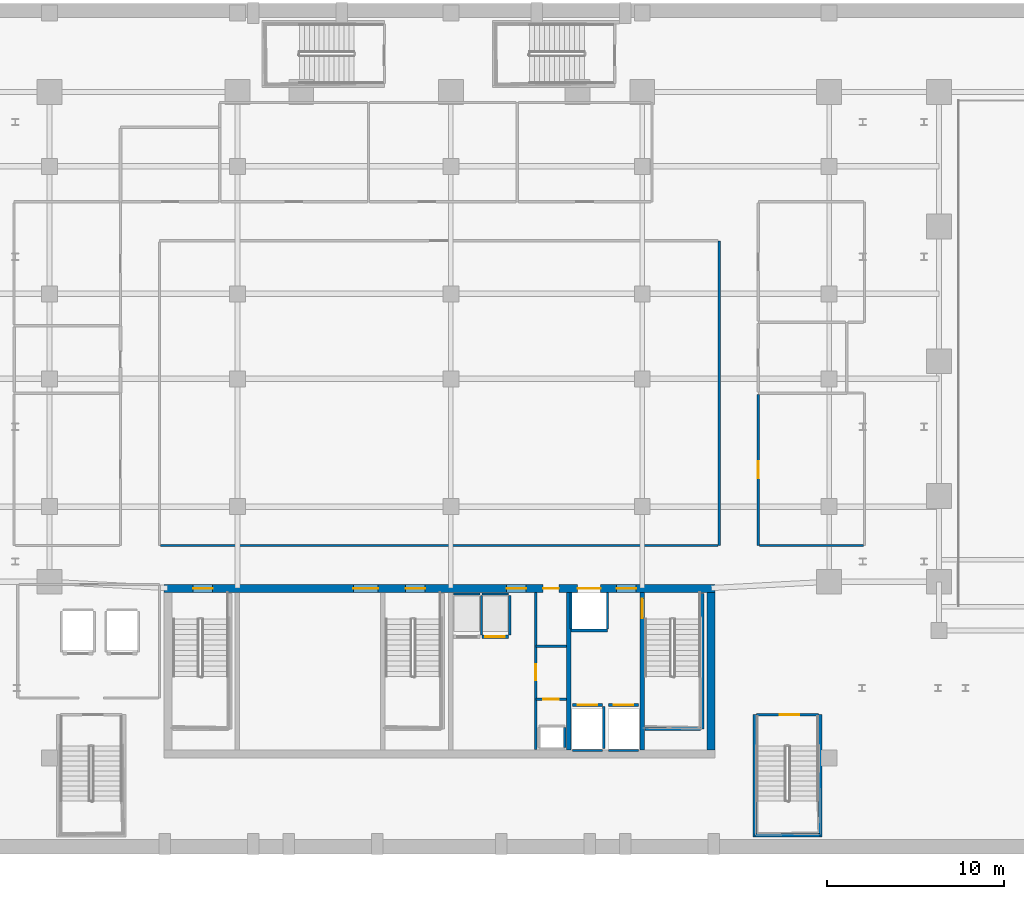
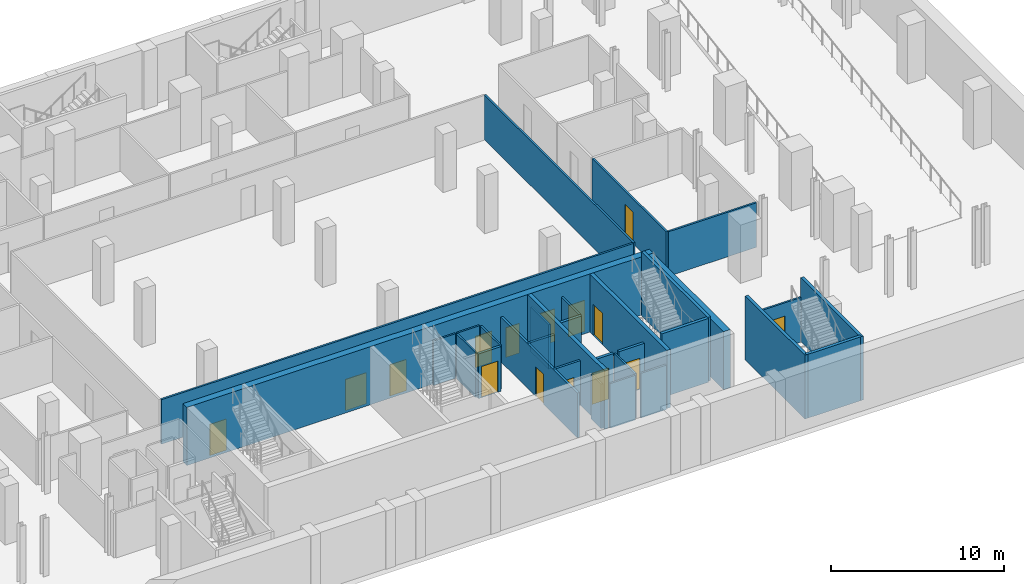
# One storey, part 9 of 18: 31 walls, 15 doors, 15 openings.
"""IFC4 building model written with IfcOpenShell, lengths in metres."""

from ifc_helpers import new_model, si_unit, direction, frame, frame_2d, origin, place, context, subcontext, project, spatial, rectangle, extrude, material, layer, layer_set, type_object, element, fill, save


model = new_model("IFC4")

# Units and contexts
model_context = context("Model", 3, precision=1e-05, world=origin(), true_north=direction((0.0, 1.0)))
body_context = subcontext(model_context, "Body", "Model", "MODEL_VIEW")
ifc_project = project(units=[si_unit("LENGTHUNIT", "METRE"), si_unit("AREAUNIT", "SQUARE_METRE"), si_unit("VOLUMEUNIT", "CUBIC_METRE"), si_unit("PLANEANGLEUNIT", "RADIAN"), si_unit("MASSUNIT", "GRAM", prefix="KILO")], contexts=[model_context])

# Site, building, storey
site_placement = place(None, origin())
site = spatial("IfcSite", under=ifc_project, at=site_placement, CompositionType="ELEMENT")
building_placement = place(site_placement, origin())
building = spatial("IfcBuilding", under=site, at=building_placement, Name="Ndaravel Arena Tower", CompositionType="ELEMENT")
storey_placement = place(building_placement, frame((0.0, 0.0, -4.5)))
storey = spatial("IfcBuildingStorey", under=building, at=storey_placement, Name="B01", CompositionType="ELEMENT", Elevation=-4.5)

# Wall, opening, door
ifc_material_1 = material(Name="Gypsum", Category="gypsum")
ifc_layer_1 = layer(ifc_material_1, 0.14990234375)
ifc_layer_set_1 = layer_set([ifc_layer_1], Name="Gypsum")
wall_type_1 = type_object("IfcWallType", Name="WALL-COMP-150", PredefinedType="PARTITIONING", material=ifc_layer_set_1)
wall_1_placement = place(storey_placement, frame((47.449951171875, 5.89990234375, 0.0), z_axis=(0.0, 0.0, 1.0), x_axis=(0.0, 1.0, 0.0)))
wall_1 = element("IfcWall", 1, at=wall_1_placement, inside=storey, type_object=wall_type_1, Name="B01 Core Riser Bay Partition", PredefinedType="PARTITIONING", context=body_context, shape_type="SweptSolid", body=[
    extrude(rectangle(XDim=8.85009765625, YDim=0.14990234375, at=frame_2d((4.425048828125, 0.0))), origin(), (0.0, 0.0, 1.0), 3.143310546875),
])
opening_1_placement = place(wall_1_placement, frame((3.89990234375, 0.0, 0.0)))
opening_1 = element("IfcOpeningElement", 2, at=opening_1_placement, cuts=wall_1, Name="Opening RD-01", PredefinedType="OPENING", context=body_context, shape_type="SweptSolid", body=[
    extrude(rectangle(XDim=0.89990234375, YDim=2.10009765625, at=frame_2d((0.449951171875, 1.050048828125))), frame((0.0, 0.074951171875, 0.0), z_axis=(0.0, -1.0, 0.0), x_axis=(1.0, 0.0, 0.0)), (0.0, 0.0, 1.0), 0.14990234375),
])
ifc_material_2 = material(Name="Steel S355", Category="steel")
door_type_1 = type_object("IfcDoorType", Name="DT-08-RISER-900", OperationType="SINGLE_SWING_LEFT", PredefinedType="DOOR", material=ifc_material_2)
door_1_placement = place(opening_1_placement, origin())
door_1 = element("IfcDoor", 3, at=door_1_placement, inside=storey, type_object=door_type_1, Name="B01 Plumbing Riser Door", OperationType="SINGLE_SWING_LEFT", OverallHeight=2.10009765625, OverallWidth=0.89990234375, PredefinedType="DOOR", context=body_context, shape_type="SweptSolid", body=[
    extrude(rectangle(XDim=0.89990234375, YDim=2.10009765625, at=frame_2d((0.449951171875, 1.050048828125))), frame((0.0, 0.02490234375, 0.0), z_axis=(0.0, -1.0, 0.0), x_axis=(1.0, 0.0, 0.0)), (0.0, 0.0, 1.0), 0.050048828125),
])
fill(opening_1, door_1)

wall_2_placement = place(storey_placement, frame((47.449951171875, 8.719970703125, 0.0), z_axis=(0.0, 0.0, 1.0), x_axis=(1.0, 0.0, 0.0)))
wall_2 = element("IfcWall", 4, at=wall_2_placement, inside=storey, type_object=wall_type_1, Name="B01 Core Riser Divider 1", PredefinedType="PARTITIONING", context=body_context, shape_type="SweptSolid", body=[
    extrude(rectangle(XDim=1.72998046875, YDim=0.14990234375, at=frame_2d((0.864990234375, 0.0))), origin(), (0.0, 0.0, 1.0), 3.143310546875),
])
opening_2_placement = place(wall_2_placement, frame((0.39990234375, 0.0, 0.0)))
opening_2 = element("IfcOpeningElement", 5, at=opening_2_placement, cuts=wall_2, Name="Opening RD-01", PredefinedType="OPENING", context=body_context, shape_type="SweptSolid", body=[
    extrude(rectangle(XDim=0.89990234375, YDim=2.10009765625, at=frame_2d((0.449951171875, 1.050048828125))), frame((0.0, 0.074951171875, 0.0), z_axis=(0.0, -1.0, 0.0), x_axis=(1.0, 0.0, 0.0)), (0.0, 0.0, 1.0), 0.14990234375),
])
door_2_placement = place(opening_2_placement, origin())
door_2 = element("IfcDoor", 6, at=door_2_placement, inside=storey, type_object=door_type_1, Name="B01 Low-Voltage Riser Door", OperationType="SINGLE_SWING_RIGHT", OverallHeight=2.10009765625, OverallWidth=0.89990234375, PredefinedType="DOOR", context=body_context, shape_type="SweptSolid", body=[
    extrude(rectangle(XDim=0.89990234375, YDim=2.10009765625, at=frame_2d((0.449951171875, 1.050048828125))), frame((0.0, 0.02490234375, 0.0), z_axis=(0.0, -1.0, 0.0), x_axis=(1.0, 0.0, 0.0)), (0.0, 0.0, 1.0), 0.050048828125),
])
fill(opening_2, door_2)

# Walls
wall_3_placement = place(storey_placement, frame((47.449951171875, 11.719970703125, 0.0), z_axis=(0.0, 0.0, 1.0), x_axis=(1.0, 0.0, 0.0)))
element("IfcWall", 7, at=wall_3_placement, inside=storey, type_object=wall_type_1, Name="B01 Core Riser Divider 2", PredefinedType="PARTITIONING", context=body_context, shape_type="SweptSolid", body=[
    extrude(rectangle(XDim=1.72998046875, YDim=0.14990234375, at=frame_2d((0.864990234375, 0.0))), origin(), (0.0, 0.0, 1.0), 3.143310546875),
])
ifc_material_3 = material(Name="Concrete C60/75", Category="concrete")
ifc_layer_2 = layer(ifc_material_3, 0.25)
ifc_layer_set_2 = layer_set([ifc_layer_2], Name="Concrete C60/75")
wall_type_2 = type_object("IfcWallType", Name="WALL-CORE-250", PredefinedType="SOLIDWALL", material=ifc_layer_set_2)
wall_4_placement = place(storey_placement, frame((49.300048828125, 5.85009765625, 0.0), z_axis=(0.0, 0.0, 1.0), x_axis=(0.0, 1.0, 0.0)))
element("IfcWall", 8, at=wall_4_placement, inside=storey, type_object=wall_type_2, Name="B01 Core Web Shear Wall 4", PredefinedType="SOLIDWALL", context=body_context, shape_type="SweptSolid", body=[
    extrude(rectangle(XDim=8.89990234375, YDim=0.25, at=frame_2d((4.449951171875, 0.0))), origin(), (0.0, 0.0, 1.0), 4.10009765625),
])

# Wall, opening, door
wall_5_placement = place(storey_placement, frame((53.449951171875, 5.85009765625, 0.0), z_axis=(0.0, 0.0, 1.0), x_axis=(0.0, 1.0, 0.0)))
wall_5 = element("IfcWall", 9, at=wall_5_placement, inside=storey, type_object=wall_type_2, Name="B01 Core Web Shear Wall 5", PredefinedType="SOLIDWALL", context=body_context, shape_type="SweptSolid", body=[
    extrude(rectangle(XDim=8.89990234375, YDim=0.25, at=frame_2d((4.449951171875, 0.0))), origin(), (0.0, 0.0, 1.0), 4.10009765625),
])
opening_3_placement = place(wall_5_placement, frame((7.449951171875, 0.0, 0.0)))
opening_3 = element("IfcOpeningElement", 10, at=opening_3_placement, cuts=wall_5, Name="Opening FD-01", PredefinedType="OPENING", context=body_context, shape_type="SweptSolid", body=[
    extrude(rectangle(XDim=1.10009765625, YDim=2.199951171875, at=frame_2d((0.550048828125, 1.10009765625))), frame((0.0, 0.125, 0.0), z_axis=(0.0, -1.0, 0.0), x_axis=(1.0, 0.0, 0.0)), (0.0, 0.0, 1.0), 0.25),
])
ifc_material_4 = material(Name="Steel S355", Category="steel")
door_type_2 = type_object("IfcDoorType", Name="DT-01-STAIR-1100", OperationType="SINGLE_SWING_LEFT", PredefinedType="DOOR", material=ifc_material_4)
door_3_placement = place(opening_3_placement, origin())
door_3 = element("IfcDoor", 11, at=door_3_placement, inside=storey, type_object=door_type_2, Name="B01 Firefighting Lobby to ST-3 Door", OperationType="SINGLE_SWING_LEFT", OverallHeight=2.199951171875, OverallWidth=1.10009765625, PredefinedType="DOOR", context=body_context, shape_type="SweptSolid", body=[
    extrude(rectangle(XDim=1.10009765625, YDim=2.199951171875, at=frame_2d((0.550048828125, 1.10009765625))), frame((0.0, 0.02490234375, 0.0), z_axis=(0.0, -1.0, 0.0), x_axis=(1.0, 0.0, 0.0)), (0.0, 0.0, 1.0), 0.050048828125),
])
fill(opening_3, door_3)

# Wall, openings, doors
ifc_material_5 = material(Name="Concrete C60/75", Category="concrete")
ifc_layer_3 = layer(ifc_material_5, 0.449951171875)
ifc_layer_set_3 = layer_set([ifc_layer_3], Name="Concrete C60/75")
wall_type_3 = type_object("IfcWallType", Name="WALL-CORE-450", PredefinedType="SOLIDWALL", material=ifc_layer_set_3)
wall_6_placement = place(storey_placement, frame((26.449951171875, 14.97509765625, 0.0), z_axis=(0.0, 0.0, 1.0), x_axis=(1.0, 0.0, 0.0)))
wall_6 = element("IfcWall", 12, at=wall_6_placement, inside=storey, type_object=wall_type_3, Name="B01 Core North Shear Wall", PredefinedType="SOLIDWALL", context=body_context, shape_type="SweptSolid", body=[
    extrude(rectangle(XDim=31.10009765625, YDim=0.449951171875, at=frame_2d((15.550048828125, 0.0))), origin(), (0.0, 0.0, 1.0), 4.10009765625),
])
opening_4_placement = place(wall_6_placement, frame((1.64990234375, 0.0, 0.0)))
opening_4 = element("IfcOpeningElement", 13, at=opening_4_placement, cuts=wall_6, Name="Opening FD-01", PredefinedType="OPENING", context=body_context, shape_type="SweptSolid", body=[
    extrude(rectangle(XDim=1.10009765625, YDim=2.199951171875, at=frame_2d((0.550048828125, 1.10009765625))), frame((0.0, 0.22509765625, 0.0), z_axis=(0.0, -1.0, 0.0), x_axis=(1.0, 0.0, 0.0)), (0.0, 0.0, 1.0), 0.449951171875),
])
opening_5_placement = place(wall_6_placement, frame((13.64990234375, 0.0, 0.0)))
opening_5 = element("IfcOpeningElement", 14, at=opening_5_placement, cuts=wall_6, Name="Opening FD-01", PredefinedType="OPENING", context=body_context, shape_type="SweptSolid", body=[
    extrude(rectangle(XDim=1.10009765625, YDim=2.199951171875, at=frame_2d((0.550048828125, 1.10009765625))), frame((0.0, 0.22509765625, 0.0), z_axis=(0.0, -1.0, 0.0), x_axis=(1.0, 0.0, 0.0)), (0.0, 0.0, 1.0), 0.449951171875),
])
opening_6_placement = place(wall_6_placement, frame((25.550048828125, 0.0, 0.0)))
opening_6 = element("IfcOpeningElement", 15, at=opening_6_placement, cuts=wall_6, Name="Opening FD-01", PredefinedType="OPENING", context=body_context, shape_type="SweptSolid", body=[
    extrude(rectangle(XDim=1.10009765625, YDim=2.199951171875, at=frame_2d((0.550048828125, 1.10009765625))), frame((0.0, 0.22509765625, 0.0), z_axis=(0.0, -1.0, 0.0), x_axis=(1.0, 0.0, 0.0)), (0.0, 0.0, 1.0), 0.449951171875),
])
opening_7_placement = place(wall_6_placement, frame((10.699951171875, 0.0, 0.0)))
opening_7 = element("IfcOpeningElement", 16, at=opening_7_placement, cuts=wall_6, Name="Opening ID-02", PredefinedType="OPENING", context=body_context, shape_type="SweptSolid", body=[
    extrude(rectangle(XDim=1.39990234375, YDim=2.199951171875, at=frame_2d((0.699951171875, 1.10009765625))), frame((0.0, 0.22509765625, 0.0), z_axis=(0.0, -1.0, 0.0), x_axis=(1.0, 0.0, 0.0)), (0.0, 0.0, 1.0), 0.449951171875),
])
opening_8_placement = place(wall_6_placement, frame((19.35009765625, 0.0, 0.0)))
opening_8 = element("IfcOpeningElement", 17, at=opening_8_placement, cuts=wall_6, Name="Opening FD-01", PredefinedType="OPENING", context=body_context, shape_type="SweptSolid", body=[
    extrude(rectangle(XDim=1.10009765625, YDim=2.199951171875, at=frame_2d((0.550048828125, 1.10009765625))), frame((0.0, 0.22509765625, 0.0), z_axis=(0.0, -1.0, 0.0), x_axis=(1.0, 0.0, 0.0)), (0.0, 0.0, 1.0), 0.449951171875),
])
opening_9_placement = place(wall_6_placement, frame((21.39990234375, 0.0, 0.0)))
opening_9 = element("IfcOpeningElement", 18, at=opening_9_placement, cuts=wall_6, Name="Opening RD-01", PredefinedType="OPENING", context=body_context, shape_type="SweptSolid", body=[
    extrude(rectangle(XDim=0.89990234375, YDim=2.10009765625, at=frame_2d((0.449951171875, 1.050048828125))), frame((0.0, 0.22509765625, 0.0), z_axis=(0.0, -1.0, 0.0), x_axis=(1.0, 0.0, 0.0)), (0.0, 0.0, 1.0), 0.449951171875),
])
opening_10_placement = place(wall_6_placement, frame((23.35009765625, 0.0, 0.0)))
opening_10 = element("IfcOpeningElement", 19, at=opening_10_placement, cuts=wall_6, Name="Opening LD-02", PredefinedType="OPENING", context=body_context, shape_type="SweptSolid", body=[
    extrude(rectangle(XDim=1.300048828125, YDim=2.300048828125, at=frame_2d((0.64990234375, 1.14990234375))), frame((0.0, 0.22509765625, 0.0), z_axis=(0.0, -1.0, 0.0), x_axis=(1.0, 0.0, 0.0)), (0.0, 0.0, 1.0), 0.449951171875),
])
door_4_placement = place(opening_4_placement, origin())
door_4 = element("IfcDoor", 20, at=door_4_placement, inside=storey, type_object=door_type_2, Name="B01 Exit Stair ST-1 Door", OperationType="SINGLE_SWING_RIGHT", OverallHeight=2.199951171875, OverallWidth=1.10009765625, PredefinedType="DOOR", context=body_context, shape_type="SweptSolid", body=[
    extrude(rectangle(XDim=1.10009765625, YDim=2.199951171875, at=frame_2d((0.550048828125, 1.10009765625))), frame((0.0, 0.02490234375, 0.0), z_axis=(0.0, -1.0, 0.0), x_axis=(1.0, 0.0, 0.0)), (0.0, 0.0, 1.0), 0.050048828125),
])
fill(opening_4, door_4)
door_5_placement = place(opening_5_placement, origin())
door_5 = element("IfcDoor", 21, at=door_5_placement, inside=storey, type_object=door_type_2, Name="B01 Exit Stair ST-2 Door", OperationType="SINGLE_SWING_LEFT", OverallHeight=2.199951171875, OverallWidth=1.10009765625, PredefinedType="DOOR", context=body_context, shape_type="SweptSolid", body=[
    extrude(rectangle(XDim=1.10009765625, YDim=2.199951171875, at=frame_2d((0.550048828125, 1.10009765625))), frame((0.0, 0.02490234375, 0.0), z_axis=(0.0, -1.0, 0.0), x_axis=(1.0, 0.0, 0.0)), (0.0, 0.0, 1.0), 0.050048828125),
])
fill(opening_5, door_5)
door_6_placement = place(opening_6_placement, origin())
door_6 = element("IfcDoor", 22, at=door_6_placement, inside=storey, type_object=door_type_2, Name="B01 Firefighting Lift Lobby Door", OperationType="SINGLE_SWING_RIGHT", OverallHeight=2.199951171875, OverallWidth=1.10009765625, PredefinedType="DOOR", context=body_context, shape_type="SweptSolid", body=[
    extrude(rectangle(XDim=1.10009765625, YDim=2.199951171875, at=frame_2d((0.550048828125, 1.10009765625))), frame((0.0, 0.02490234375, 0.0), z_axis=(0.0, -1.0, 0.0), x_axis=(1.0, 0.0, 0.0)), (0.0, 0.0, 1.0), 0.050048828125),
])
fill(opening_6, door_6)
door_7_placement = place(opening_8_placement, origin())
door_7 = element("IfcDoor", 23, at=door_7_placement, inside=storey, type_object=door_type_2, Name="B01 Express Lift Lobby Entry Door", OperationType="SINGLE_SWING_LEFT", OverallHeight=2.199951171875, OverallWidth=1.10009765625, PredefinedType="DOOR", context=body_context, shape_type="SweptSolid", body=[
    extrude(rectangle(XDim=1.10009765625, YDim=2.199951171875, at=frame_2d((0.550048828125, 1.10009765625))), frame((0.0, 0.02490234375, 0.0), z_axis=(0.0, -1.0, 0.0), x_axis=(1.0, 0.0, 0.0)), (0.0, 0.0, 1.0), 0.050048828125),
])
fill(opening_8, door_7)
ifc_material_6 = material(Name="Timber", Category="wood")
door_type_3 = type_object("IfcDoorType", Name="DT-04-SUITE-1400", OperationType="DOUBLE_DOOR_SINGLE_SWING", PredefinedType="DOOR", material=ifc_material_6)
door_8_placement = place(opening_7_placement, origin())
door_8 = element("IfcDoor", 24, at=door_8_placement, inside=storey, type_object=door_type_3, Name="B01 West Lift Lobby Entry Door", OperationType="DOUBLE_DOOR_SINGLE_SWING", OverallHeight=2.199951171875, OverallWidth=1.39990234375, PredefinedType="DOOR", context=body_context, shape_type="SweptSolid", body=[
    extrude(rectangle(XDim=1.39990234375, YDim=2.199951171875, at=frame_2d((0.699951171875, 1.10009765625))), frame((0.0, 0.02490234375, 0.0), z_axis=(0.0, -1.0, 0.0), x_axis=(1.0, 0.0, 0.0)), (0.0, 0.0, 1.0), 0.050048828125),
])
fill(opening_7, door_8)
ifc_material_7 = material(Name="Steel S355", Category="steel")
door_type_4 = type_object("IfcDoorType", Name="DT-07-SVLIFT-1300", OperationType="DOUBLE_DOOR_SLIDING", PredefinedType="DOOR", material=ifc_material_7)
door_9_placement = place(opening_10_placement, origin())
door_9 = element("IfcDoor", 25, at=door_9_placement, inside=storey, type_object=door_type_4, Name="B01 Lift SVL-1 Sliding Landing Door", OperationType="DOUBLE_DOOR_SLIDING", OverallHeight=2.300048828125, OverallWidth=1.300048828125, PredefinedType="DOOR", context=body_context, shape_type="SweptSolid", body=[
    extrude(rectangle(XDim=1.300048828125, YDim=2.300048828125, at=frame_2d((0.64990234375, 1.14990234375))), frame((0.0, 0.02490234375, 0.0), z_axis=(0.0, -1.0, 0.0), x_axis=(1.0, 0.0, 0.0)), (0.0, 0.0, 1.0), 0.050048828125),
])
fill(opening_10, door_9)
door_10_placement = place(opening_9_placement, origin())
door_10 = element("IfcDoor", 26, at=door_10_placement, inside=storey, type_object=door_type_1, Name="B01 Core Service Riser North Door", OperationType="SINGLE_SWING_LEFT", OverallHeight=2.10009765625, OverallWidth=0.89990234375, PredefinedType="DOOR", context=body_context, shape_type="SweptSolid", body=[
    extrude(rectangle(XDim=0.89990234375, YDim=2.10009765625, at=frame_2d((0.449951171875, 1.050048828125))), frame((0.0, 0.02490234375, 0.0), z_axis=(0.0, -1.0, 0.0), x_axis=(1.0, 0.0, 0.0)), (0.0, 0.0, 1.0), 0.050048828125),
])
fill(opening_9, door_10)

# Walls
wall_7_placement = place(storey_placement, frame((57.324951171875, 5.85009765625, 0.0), z_axis=(0.0, 0.0, 1.0), x_axis=(0.0, 1.0, 0.0)))
element("IfcWall", 27, at=wall_7_placement, inside=storey, type_object=wall_type_3, Name="B01 Core East Shear Wall", PredefinedType="SOLIDWALL", context=body_context, shape_type="SweptSolid", body=[
    extrude(rectangle(XDim=8.89990234375, YDim=0.449951171875, at=frame_2d((4.449951171875, 0.0))), origin(), (0.0, 0.0, 1.0), 4.10009765625),
])
ifc_material_8 = material(Name="Gypsum", Category="gypsum")
ifc_layer_4 = layer(ifc_material_8, 0.125)
ifc_layer_set_4 = layer_set([ifc_layer_4], Name="Gypsum")
wall_type_4 = type_object("IfcWallType", Name="WALL-PART-125", PredefinedType="PARTITIONING", material=ifc_layer_set_4)
wall_8_placement = place(storey_placement, frame((57.800048828125, 17.39990234375, 0.0), z_axis=(0.0, 0.0, 1.0), x_axis=(0.0, 1.0, 0.0)))
element("IfcWall", 28, at=wall_8_placement, inside=storey, type_object=wall_type_4, Name="B01 Interior Partition 001", PredefinedType="PARTITIONING", context=body_context, shape_type="SweptSolid", body=[
    extrude(rectangle(XDim=17.2001953125, YDim=0.125, at=frame_2d((8.60009765625, 0.0))), origin(), (0.0, 0.0, 1.0), 3.143310546875),
])
wall_9_placement = place(storey_placement, frame((26.264892578125, 17.39990234375, 0.0), z_axis=(0.0, 0.0, 1.0), x_axis=(1.0, 0.0, 0.0)))
element("IfcWall", 29, at=wall_9_placement, inside=storey, type_object=wall_type_4, Name="B01 Interior Partition 004", PredefinedType="PARTITIONING", context=body_context, shape_type="SweptSolid", body=[
    extrude(rectangle(XDim=31.47021484375, YDim=0.125, at=frame_2d((15.735107421875, 0.0))), origin(), (0.0, 0.0, 1.0), 3.143310546875),
])

# Wall, opening, door
wall_10_placement = place(storey_placement, frame((60.0, 25.93505859375, 0.0), z_axis=(0.0, 0.0, 1.0), x_axis=(0.0, -1.0, 0.0)))
wall_10 = element("IfcWall", 30, at=wall_10_placement, inside=storey, type_object=wall_type_4, Name="B01 Interior Partition 032", PredefinedType="PARTITIONING", context=body_context, shape_type="SweptSolid", body=[
    extrude(rectangle(XDim=8.53515625, YDim=0.125, at=frame_2d((4.267578125, 0.0))), origin(), (0.0, 0.0, 1.0), 3.143310546875),
])
opening_11_placement = place(wall_10_placement, frame((3.79248046875, 0.0, 0.0)))
opening_11 = element("IfcOpeningElement", 31, at=opening_11_placement, cuts=wall_10, Name="Opening ID-01", PredefinedType="OPENING", context=body_context, shape_type="SweptSolid", body=[
    extrude(rectangle(XDim=0.949951171875, YDim=2.199951171875, at=frame_2d((0.47509765625, 1.10009765625))), frame((0.0, 0.0625, 0.0), z_axis=(0.0, -1.0, 0.0), x_axis=(1.0, 0.0, 0.0)), (0.0, 0.0, 1.0), 0.125),
])
ifc_material_9 = material(Name="Timber", Category="wood")
door_type_5 = type_object("IfcDoorType", Name="DT-03-OFFICE-950", OperationType="SINGLE_SWING_LEFT", PredefinedType="DOOR", material=ifc_material_9)
door_11_placement = place(opening_11_placement, origin())
door_11 = element("IfcDoor", 32, at=door_11_placement, inside=storey, type_object=door_type_5, Name="B01 Athlete Medical & Doping Control Clinic Door", OperationType="SINGLE_SWING_RIGHT", OverallHeight=2.199951171875, OverallWidth=0.949951171875, PredefinedType="DOOR", context=body_context, shape_type="SweptSolid", body=[
    extrude(rectangle(XDim=0.949951171875, YDim=2.199951171875, at=frame_2d((0.47509765625, 1.10009765625))), frame((0.0, 0.02490234375, 0.0), z_axis=(0.0, -1.0, 0.0), x_axis=(1.0, 0.0, 0.0)), (0.0, 0.0, 1.0), 0.050048828125),
])
fill(opening_11, door_11)

# Wall
wall_11_placement = place(storey_placement, frame((60.06494140625, 17.39990234375, 0.0), z_axis=(0.0, 0.0, 1.0), x_axis=(1.0, 0.0, 0.0)))
element("IfcWall", 33, at=wall_11_placement, inside=storey, type_object=wall_type_4, Name="B01 Interior Partition 033", PredefinedType="PARTITIONING", context=body_context, shape_type="SweptSolid", body=[
    extrude(rectangle(XDim=5.8701171875, YDim=0.125, at=frame_2d((2.93505859375, 0.0))), origin(), (0.0, 0.0, 1.0), 3.143310546875),
])

# Wall, opening, door
ifc_material_10 = material(Name="Concrete C40/50", Category="concrete")
ifc_layer_5 = layer(ifc_material_10, 0.1201171875)
ifc_layer_set_5 = layer_set([ifc_layer_5], Name="Concrete C40/50")
wall_type_5 = type_object("IfcWallType", Name="WALL-SHAFT-120", PredefinedType="SOLIDWALL", material=ifc_layer_set_5)
wall_12_placement = place(storey_placement, frame((59.905029296875, 7.85009765625, 0.0), z_axis=(0.0, 0.0, 1.0), x_axis=(1.0, 0.0, 0.0)))
wall_12 = element("IfcWall", 34, at=wall_12_placement, inside=storey, type_object=wall_type_5, Name="B01 ST-B2 Entry Wall", PredefinedType="SOLIDWALL", context=body_context, shape_type="SweptSolid", body=[
    extrude(rectangle(XDim=3.489990234375, YDim=0.1201171875, at=frame_2d((1.7451171875, 0.0))), origin(), (0.0, 0.0, 1.0), 3.143310546875),
])
opening_12_placement = place(wall_12_placement, frame((1.300048828125, 0.0, 0.0)))
opening_12 = element("IfcOpeningElement", 35, at=opening_12_placement, cuts=wall_12, Name="Opening FD-01", PredefinedType="OPENING", context=body_context, shape_type="SweptSolid", body=[
    extrude(rectangle(XDim=1.10009765625, YDim=2.199951171875, at=frame_2d((0.550048828125, 1.10009765625))), frame((0.0, 0.06005859375, 0.0), z_axis=(0.0, -1.0, 0.0), x_axis=(1.0, 0.0, 0.0)), (0.0, 0.0, 1.0), 0.1201171875),
])
door_12_placement = place(opening_12_placement, origin())
door_12 = element("IfcDoor", 36, at=door_12_placement, inside=storey, type_object=door_type_2, Name="B01 ST-B2 Fire Exit Stair Door", OperationType="SINGLE_SWING_RIGHT", OverallHeight=2.199951171875, OverallWidth=1.10009765625, PredefinedType="DOOR", context=body_context, shape_type="SweptSolid", body=[
    extrude(rectangle(XDim=1.10009765625, YDim=2.199951171875, at=frame_2d((0.550048828125, 1.10009765625))), frame((0.0, 0.02490234375, 0.0), z_axis=(0.0, -1.0, 0.0), x_axis=(1.0, 0.0, 0.0)), (0.0, 0.0, 1.0), 0.050048828125),
])
fill(opening_12, door_12)

# Walls
wall_13_placement = place(storey_placement, frame((49.080078125, 6.0, 0.0), z_axis=(0.0, 0.0, 1.0), x_axis=(0.0, 1.0, 0.0)))
element("IfcWall", 37, at=wall_13_placement, inside=storey, type_object=wall_type_5, Name="B01 MEP Riser Shaft E Wall", PredefinedType="SOLIDWALL", context=body_context, shape_type="SweptSolid", body=[
    extrude(rectangle(XDim=1.139892578125, YDim=0.1201171875, at=frame_2d((0.56982421875, 0.0))), origin(), (0.0, 0.0, 1.0), 3.143310546875),
])
wall_14_placement = place(storey_placement, frame((42.804931640625, 14.659912109375, 0.0), z_axis=(0.0, 0.0, 1.0), x_axis=(1.0, 0.0, 0.0)))
element("IfcWall", 38, at=wall_14_placement, inside=storey, type_object=wall_type_5, Name="B01 PL-OBS1 Shaft Rear Wall", PredefinedType="SOLIDWALL", context=body_context, shape_type="SweptSolid", body=[
    extrude(rectangle(XDim=1.489990234375, YDim=0.1201171875, at=frame_2d((0.7451171875, 0.0))), origin(), (0.0, 0.0, 1.0), 3.143310546875),
])
wall_15_placement = place(storey_placement, frame((44.375, 12.340087890625, 0.0), z_axis=(0.0, 0.0, 1.0), x_axis=(0.0, 1.0, 0.0)))
element("IfcWall", 39, at=wall_15_placement, inside=storey, type_object=wall_type_5, Name="B01 PL-OBS1 Shaft Side R Wall", PredefinedType="SOLIDWALL", context=body_context, shape_type="SweptSolid", body=[
    extrude(rectangle(XDim=2.22998046875, YDim=0.1201171875, at=frame_2d((1.114990234375, 0.0))), origin(), (0.0, 0.0, 1.0), 3.143310546875),
])
wall_16_placement = place(storey_placement, frame((44.405029296875, 14.659912109375, 0.0), z_axis=(0.0, 0.0, 1.0), x_axis=(1.0, 0.0, 0.0)))
element("IfcWall", 40, at=wall_16_placement, inside=storey, type_object=wall_type_5, Name="B01 PL-OBS2 Shaft Rear Wall", PredefinedType="SOLIDWALL", context=body_context, shape_type="SweptSolid", body=[
    extrude(rectangle(XDim=1.489990234375, YDim=0.1201171875, at=frame_2d((0.7451171875, 0.0))), origin(), (0.0, 0.0, 1.0), 3.143310546875),
])
wall_17_placement = place(storey_placement, frame((45.97509765625, 12.340087890625, 0.0), z_axis=(0.0, 0.0, 1.0), x_axis=(0.0, 1.0, 0.0)))
element("IfcWall", 41, at=wall_17_placement, inside=storey, type_object=wall_type_5, Name="B01 PL-OBS2 Shaft Side R Wall", PredefinedType="SOLIDWALL", context=body_context, shape_type="SweptSolid", body=[
    extrude(rectangle(XDim=2.22998046875, YDim=0.1201171875, at=frame_2d((1.114990234375, 0.0))), origin(), (0.0, 0.0, 1.0), 3.143310546875),
])
wall_18_placement = place(storey_placement, frame((49.5048828125, 5.840087890625, 0.0), z_axis=(0.0, 0.0, 1.0), x_axis=(1.0, 0.0, 0.0)))
element("IfcWall", 42, at=wall_18_placement, inside=storey, type_object=wall_type_5, Name="B01 FFL-1 Shaft Rear Wall", PredefinedType="SOLIDWALL", context=body_context, shape_type="SweptSolid", body=[
    extrude(rectangle(XDim=1.690185546875, YDim=0.1201171875, at=frame_2d((0.84521484375, 0.0))), origin(), (0.0, 0.0, 1.0), 3.143310546875),
])
wall_19_placement = place(storey_placement, frame((51.27490234375, 5.929931640625, 0.0), z_axis=(0.0, 0.0, 1.0), x_axis=(0.0, 1.0, 0.0)))
element("IfcWall", 43, at=wall_19_placement, inside=storey, type_object=wall_type_5, Name="B01 FFL-1 Shaft Side R Wall", PredefinedType="SOLIDWALL", context=body_context, shape_type="SweptSolid", body=[
    extrude(rectangle(XDim=2.380126953125, YDim=0.1201171875, at=frame_2d((1.18994140625, 0.0))), origin(), (0.0, 0.0, 1.0), 3.143310546875),
])
wall_20_placement = place(storey_placement, frame((51.554931640625, 5.840087890625, 0.0), z_axis=(0.0, 0.0, 1.0), x_axis=(1.0, 0.0, 0.0)))
element("IfcWall", 44, at=wall_20_placement, inside=storey, type_object=wall_type_5, Name="B01 FFL-2 Shaft Rear Wall", PredefinedType="SOLIDWALL", context=body_context, shape_type="SweptSolid", body=[
    extrude(rectangle(XDim=1.690185546875, YDim=0.1201171875, at=frame_2d((0.84521484375, 0.0))), origin(), (0.0, 0.0, 1.0), 3.143310546875),
])
for number, where, z_axis, x_axis, name in (
    (45, (49.43994140625, 12.68994140625, 0.0), (0.0, 0.0, 1.0), (0.0, 1.0, 0.0), "B01 SVL-1 Shaft W Wall"),
    (46, (51.47998046875, 12.68994140625, 0.0), (0.0, 0.0, 1.0), (0.0, 1.0, 0.0), "B01 SVL-1 Shaft E Wall"),
):
    element("IfcWall", number, at=place(storey_placement, frame(where, z_axis=z_axis, x_axis=x_axis)), inside=storey, type_object=wall_type_5, Name=name, PredefinedType="SOLIDWALL", context=body_context, shape_type="SweptSolid", body=[
        extrude(rectangle(XDim=2.070068359375, YDim=0.1201171875, at=frame_2d((1.03515625, 0.0))), origin(), (0.0, 0.0, 1.0), 3.143310546875),
    ])
ifc_material_11 = material(Name="Concrete C40/50", Category="concrete")
ifc_layer_6 = layer(ifc_material_11, 0.199951171875)
ifc_layer_set_6 = layer_set([ifc_layer_6], Name="Concrete C40/50")
wall_type_6 = type_object("IfcWallType", Name="WALL-SHAFT-200", PredefinedType="SOLIDWALL", material=ifc_layer_set_6)
wall_21_placement = place(storey_placement, frame((56.840087890625, 14.699951171875, 0.0), z_axis=(0.0, 0.0, 1.0), x_axis=(0.0, -1.0, 0.0)))
element("IfcWall", 47, at=wall_21_placement, inside=storey, type_object=wall_type_6, Name="B01 ST-3 Structural Shaft Wall Right", PredefinedType="SOLIDWALL", context=body_context, shape_type="SweptSolid", body=[
    extrude(rectangle(XDim=7.64990234375, YDim=0.199951171875, at=frame_2d((3.824951171875, 0.0))), origin(), (0.0, 0.0, 1.0), 4.5),
])
wall_22_placement = place(storey_placement, frame((53.6201171875, 7.050048828125, 0.0), z_axis=(0.0, 0.0, 1.0), x_axis=(1.0, 0.0, 0.0)))
element("IfcWall", 48, at=wall_22_placement, inside=storey, type_object=wall_type_6, Name="B01 ST-3 Structural Shaft Wall Far", PredefinedType="SOLIDWALL", context=body_context, shape_type="SweptSolid", body=[
    extrude(rectangle(XDim=3.114990234375, YDim=0.199951171875, at=frame_2d((1.5576171875, 0.0))), origin(), (0.0, 0.0, 1.0), 4.5),
])
for number, where, z_axis, x_axis, name in (
    (49, (59.800048828125, 7.85009765625, 0.0), (0.0, 0.0, 1.0), (0.0, -1.0, 0.0), "B01 ST-B2 Shaft Wall Left"),
    (50, (63.5, 7.85009765625, 0.0), (0.0, 0.0, 1.0), (0.0, -1.0, 0.0), "B01 ST-B2 Shaft Wall Right"),
):
    element("IfcWall", number, at=place(storey_placement, frame(where, z_axis=z_axis, x_axis=x_axis)), inside=storey, type_object=wall_type_6, Name=name, PredefinedType="SOLIDWALL", context=body_context, shape_type="SweptSolid", body=[
        extrude(rectangle(XDim=6.900146484375, YDim=0.199951171875, at=frame_2d((3.4501953125, 0.0))), origin(), (0.0, 0.0, 1.0), 4.5),
    ])
wall_23_placement = place(storey_placement, frame((59.81005859375, 1.050048828125, 0.0), z_axis=(0.0, 0.0, 1.0), x_axis=(1.0, 0.0, 0.0)))
element("IfcWall", 51, at=wall_23_placement, inside=storey, type_object=wall_type_6, Name="B01 ST-B2 Shaft Wall Far", PredefinedType="SOLIDWALL", context=body_context, shape_type="SweptSolid", body=[
    extrude(rectangle(XDim=3.679931640625, YDim=0.199951171875, at=frame_2d((1.83984375, 0.0))), origin(), (0.0, 0.0, 1.0), 4.5),
])

# Wall, opening, door
wall_24_placement = place(storey_placement, frame((44.405029296875, 12.25, 0.0), z_axis=(0.0, 0.0, 1.0), x_axis=(1.0, 0.0, 0.0)))
wall_24 = element("IfcWall", 52, at=wall_24_placement, inside=storey, type_object=wall_type_6, Name="B01 PL-OBS2 Shaft Landing Wall", PredefinedType="SOLIDWALL", context=body_context, shape_type="SweptSolid", body=[
    extrude(rectangle(XDim=1.489990234375, YDim=0.179931640625, at=frame_2d((0.7451171875, 0.0))), origin(), (0.0, 0.0, 1.0), 3.143310546875),
])
opening_13_placement = place(wall_24_placement, frame((0.195068359375, 0.0, 0.0)))
opening_13 = element("IfcOpeningElement", 53, at=opening_13_placement, cuts=wall_24, Name="Opening LD-01", PredefinedType="OPENING", context=body_context, shape_type="SweptSolid", body=[
    extrude(rectangle(XDim=1.10009765625, YDim=2.199951171875, at=frame_2d((0.550048828125, 1.10009765625))), frame((0.0, 0.08984375, 0.0), z_axis=(0.0, -1.0, 0.0), x_axis=(1.0, 0.0, 0.0)), (0.0, 0.0, 1.0), 0.179931640625),
])
ifc_material_12 = material(Name="Steel S355", Category="steel")
door_type_6 = type_object("IfcDoorType", Name="DT-06-LIFT-1100", OperationType="SLIDING_TO_LEFT", PredefinedType="DOOR", material=ifc_material_12)
door_13_placement = place(opening_13_placement, origin())
door_13 = element("IfcDoor", 54, at=door_13_placement, inside=storey, type_object=door_type_6, Name="B01 Lift PL-OBS2 Sliding Landing Door", OperationType="SLIDING_TO_LEFT", OverallHeight=2.199951171875, OverallWidth=1.10009765625, PredefinedType="DOOR", context=body_context, shape_type="SweptSolid", body=[
    extrude(rectangle(XDim=1.10009765625, YDim=2.199951171875, at=frame_2d((0.550048828125, 1.10009765625))), frame((0.0, 0.02490234375, 0.0), z_axis=(0.0, -1.0, 0.0), x_axis=(1.0, 0.0, 0.0)), (0.0, 0.0, 1.0), 0.050048828125),
])
fill(opening_13, door_13)

wall_25_placement = place(storey_placement, frame((49.5048828125, 8.39990234375, 0.0), z_axis=(0.0, 0.0, 1.0), x_axis=(1.0, 0.0, 0.0)))
wall_25 = element("IfcWall", 55, at=wall_25_placement, inside=storey, type_object=wall_type_6, Name="B01 FFL-1 Shaft Landing Wall", PredefinedType="SOLIDWALL", context=body_context, shape_type="SweptSolid", body=[
    extrude(rectangle(XDim=1.690185546875, YDim=0.179931640625, at=frame_2d((0.84521484375, 0.0))), origin(), (0.0, 0.0, 1.0), 3.143310546875),
])
opening_14_placement = place(wall_25_placement, frame((0.294921875, 0.0, 0.0)))
opening_14 = element("IfcOpeningElement", 56, at=opening_14_placement, cuts=wall_25, Name="Opening LD-01", PredefinedType="OPENING", context=body_context, shape_type="SweptSolid", body=[
    extrude(rectangle(XDim=1.10009765625, YDim=2.199951171875, at=frame_2d((0.550048828125, 1.10009765625))), frame((0.0, 0.08984375, 0.0), z_axis=(0.0, -1.0, 0.0), x_axis=(1.0, 0.0, 0.0)), (0.0, 0.0, 1.0), 0.179931640625),
])
door_14_placement = place(opening_14_placement, origin())
door_14 = element("IfcDoor", 57, at=door_14_placement, inside=storey, type_object=door_type_6, Name="B01 Lift FFL-1 Sliding Landing Door", OperationType="SLIDING_TO_LEFT", OverallHeight=2.199951171875, OverallWidth=1.10009765625, PredefinedType="DOOR", context=body_context, shape_type="SweptSolid", body=[
    extrude(rectangle(XDim=1.10009765625, YDim=2.199951171875, at=frame_2d((0.550048828125, 1.10009765625))), frame((0.0, 0.02490234375, 0.0), z_axis=(0.0, -1.0, 0.0), x_axis=(1.0, 0.0, 0.0)), (0.0, 0.0, 1.0), 0.050048828125),
])
fill(opening_14, door_14)

wall_26_placement = place(storey_placement, frame((51.554931640625, 8.39990234375, 0.0), z_axis=(0.0, 0.0, 1.0), x_axis=(1.0, 0.0, 0.0)))
wall_26 = element("IfcWall", 58, at=wall_26_placement, inside=storey, type_object=wall_type_6, Name="B01 FFL-2 Shaft Landing Wall", PredefinedType="SOLIDWALL", context=body_context, shape_type="SweptSolid", body=[
    extrude(rectangle(XDim=1.690185546875, YDim=0.179931640625, at=frame_2d((0.84521484375, 0.0))), origin(), (0.0, 0.0, 1.0), 3.143310546875),
])
opening_15_placement = place(wall_26_placement, frame((0.294921875, 0.0, 0.0)))
opening_15 = element("IfcOpeningElement", 59, at=opening_15_placement, cuts=wall_26, Name="Opening LD-01", PredefinedType="OPENING", context=body_context, shape_type="SweptSolid", body=[
    extrude(rectangle(XDim=1.10009765625, YDim=2.199951171875, at=frame_2d((0.550048828125, 1.10009765625))), frame((0.0, 0.08984375, 0.0), z_axis=(0.0, -1.0, 0.0), x_axis=(1.0, 0.0, 0.0)), (0.0, 0.0, 1.0), 0.179931640625),
])
door_15_placement = place(opening_15_placement, origin())
door_15 = element("IfcDoor", 60, at=door_15_placement, inside=storey, type_object=door_type_6, Name="B01 Lift FFL-2 Sliding Landing Door", OperationType="SLIDING_TO_LEFT", OverallHeight=2.199951171875, OverallWidth=1.10009765625, PredefinedType="DOOR", context=body_context, shape_type="SweptSolid", body=[
    extrude(rectangle(XDim=1.10009765625, YDim=2.199951171875, at=frame_2d((0.550048828125, 1.10009765625))), frame((0.0, 0.02490234375, 0.0), z_axis=(0.0, -1.0, 0.0), x_axis=(1.0, 0.0, 0.0)), (0.0, 0.0, 1.0), 0.050048828125),
])
fill(opening_15, door_15)

# Wall
wall_27_placement = place(storey_placement, frame((49.43994140625, 12.594970703125, 0.0), z_axis=(0.0, 0.0, 1.0), x_axis=(1.0, 0.0, 0.0)))
element("IfcWall", 61, at=wall_27_placement, inside=storey, type_object=wall_type_6, Name="B01 SVL-1 Shaft South Wall", PredefinedType="SOLIDWALL", context=body_context, shape_type="SweptSolid", body=[
    extrude(rectangle(XDim=2.0400390625, YDim=0.179931640625, at=frame_2d((1.02001953125, 0.0))), origin(), (0.0, 0.0, 1.0), 3.143310546875),
])

save(model, "model.ifc")
